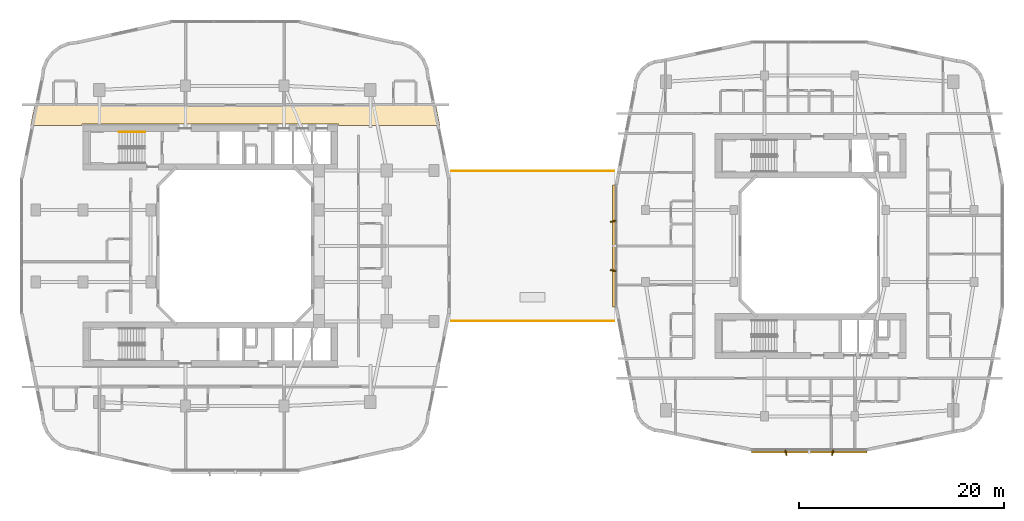
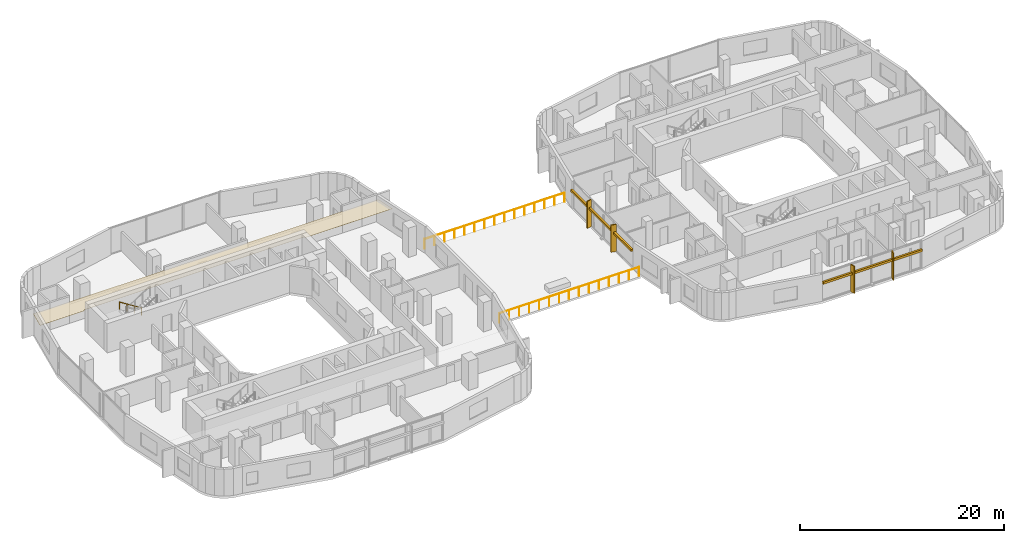
# One storey, part 24 of 25: 6 shading devices, 3 railings, 1 covering.
"""IFC4 building model written with IfcOpenShell, lengths in metres."""

from ifc_helpers import new_model, si_unit, derived_unit, direction, frame, origin, origin_2d, place, context, subcontext, project, spatial, polyline, rectangle, circle, outline, extrude, material, layer, layer_set, type_object, element, save


model = new_model("IFC4")

# Units and contexts
model_context = context("Model", 3, precision=1e-05, world=origin(), true_north=direction((0.0, 1.0)))
body_context = subcontext(model_context, "Body", "Model", "MODEL_VIEW")
ifc_project = project(units=[si_unit("LENGTHUNIT", "METRE"), si_unit("AREAUNIT", "SQUARE_METRE"), si_unit("VOLUMEUNIT", "CUBIC_METRE"), si_unit("PLANEANGLEUNIT", "RADIAN"), si_unit("MASSUNIT", "GRAM", prefix="KILO"), derived_unit("THERMALTRANSMITTANCEUNIT", [(si_unit("POWERUNIT", "WATT"), 1), (si_unit("LENGTHUNIT", "METRE"), -2), (si_unit("THERMODYNAMICTEMPERATUREUNIT", "KELVIN"), -1)])], contexts=[model_context])

# Site, building, storey
site_placement = place(None, origin())
site = spatial("IfcSite", under=ifc_project, at=site_placement, CompositionType="ELEMENT")
building_placement = place(site_placement, origin())
building = spatial("IfcBuilding", under=site, at=building_placement, Name="Kivonza Crest Hotel", CompositionType="ELEMENT")
storey_placement = place(building_placement, frame((0.0, 0.0, 24.0)))
storey = spatial("IfcBuildingStorey", under=building, at=storey_placement, Name="L05", CompositionType="ELEMENT", Elevation=24.0)

# Covering
ifc_material_1 = material(Name="Mineral-fibre acoustic ceiling tile", Category="gypsum")
ifc_layer = layer(ifc_material_1, 0.02490234375)
ifc_layer_set = layer_set([ifc_layer], Name="Mineral-fibre acoustic ceiling tile")
covering_type = type_object("IfcCoveringType", Name="CV-CEIL-ACOU", PredefinedType="CEILING", material=ifc_layer_set)
covering_placement = place(storey_placement, frame((0.0, 0.0, 2.449951171875)))
element("IfcCovering", 1, at=covering_placement, inside=storey, type_object=covering_type, Name="L05 Hotel North Guest Corridor suspended ceiling", PredefinedType="CEILING", context=body_context, shape_type="SweptSolid", body=[
    extrude(outline(polyline([(1.506103515625, 38.7900390625), (1.083984375, 36.719970703125), (6.10009765625, 36.719970703125), (6.10009765625, 36.860107421875), (31.10009765625, 36.860107421875), (31.10009765625, 36.719970703125), (40.99609375, 36.719970703125), (40.573974609375, 38.7900390625), (1.506103515625, 38.7900390625)])), origin(), (0.0, 0.0, 1.0), 0.025146484375),
])

# Railings
ifc_material_2 = material(Name="Brushed stainless steel handrail", Category="steel")
railing_type_1 = type_object("IfcRailingType", Name="RL-HAND-900", PredefinedType="HANDRAIL", material=ifc_material_2)
railing_1_placement = place(storey_placement, frame((12.239990234375, 36.110107421875, 0.175048828125)))
element("IfcRailing", 2, at=railing_1_placement, inside=storey, type_object=railing_type_1, Name="L05 ST-T1-N stair handrail 1", PredefinedType="HANDRAIL", context=body_context, shape_type="SweptSolid", body=[
    extrude(circle(Radius=0.02392578125, at=origin_2d()), frame((0.0, 0.0, 0.8759765625), z_axis=(-0.848007534815, 0.0, 0.529984170421), x_axis=(0.0, -1.0, 0.0)), (0.0, 0.0, 1.0), 2.9716796875),
    extrude(circle(Radius=0.02099609375, at=origin_2d()), origin(), (0.0, 0.0, 1.0), 0.851806640625),
    extrude(circle(Radius=0.02099609375, at=origin_2d()), frame((-0.840087890625, 0.0, 0.52490234375)), (0.0, 0.0, 1.0), 0.851806640625),
    extrude(circle(Radius=0.02099609375, at=origin_2d()), frame((-1.679931640625, 0.0, 1.050048828125)), (0.0, 0.0, 1.0), 0.851806640625),
    extrude(circle(Radius=0.02099609375, at=origin_2d()), frame((-2.52001953125, 0.0, 1.574951171875)), (0.0, 0.0, 1.0), 0.851806640625),
])
ifc_material_3 = material(Name="Laminated glass and stainless steel balustrade", Category="steel")
railing_type_2 = type_object("IfcRailingType", Name="RL-TERR-1150", PredefinedType="BALUSTRADE", material=ifc_material_3)
railing_2_placement = place(storey_placement, frame((42.080078125, 32.320068359375, 0.0)))
element("IfcRailing", 3, at=railing_2_placement, inside=storey, type_object=railing_type_2, Name="L05 POD-L05-LINK perimeter safety balustrade 1", PredefinedType="BALUSTRADE", context=body_context, shape_type="SweptSolid", body=[
    extrude(circle(Radius=0.02392578125, at=origin_2d()), frame((0.0, 0.0, 1.1259765625), z_axis=(1.0, 0.0, 0.0), x_axis=(0.0, 1.0, 0.0)), (0.0, 0.0, 1.0), 15.83984375),
    extrude(circle(Radius=0.02099609375, at=origin_2d()), origin(), (0.0, 0.0, 1.0), 1.101806640625),
    extrude(circle(Radius=0.02099609375, at=origin_2d()), frame((1.13134765625, 0.0, 0.0)), (0.0, 0.0, 1.0), 1.101806640625),
    extrude(circle(Radius=0.02099609375, at=origin_2d()), frame((2.262939453125, 0.0, 0.0)), (0.0, 0.0, 1.0), 1.101806640625),
    extrude(circle(Radius=0.02099609375, at=origin_2d()), frame((3.394287109375, 0.0, 0.0)), (0.0, 0.0, 1.0), 1.101806640625),
    extrude(circle(Radius=0.02099609375, at=origin_2d()), frame((4.525634765625, 0.0, 0.0)), (0.0, 0.0, 1.0), 1.101806640625),
    extrude(circle(Radius=0.02099609375, at=origin_2d()), frame((5.656982421875, 0.0, 0.0)), (0.0, 0.0, 1.0), 1.101806640625),
    extrude(circle(Radius=0.02099609375, at=origin_2d()), frame((6.78857421875, 0.0, 0.0)), (0.0, 0.0, 1.0), 1.101806640625),
    extrude(circle(Radius=0.02099609375, at=origin_2d()), frame((7.919921875, 0.0, 0.0)), (0.0, 0.0, 1.0), 1.101806640625),
    extrude(circle(Radius=0.02099609375, at=origin_2d()), frame((9.05126953125, 0.0, 0.0)), (0.0, 0.0, 1.0), 1.101806640625),
    extrude(circle(Radius=0.02099609375, at=origin_2d()), frame((10.182861328125, 0.0, 0.0)), (0.0, 0.0, 1.0), 1.101806640625),
    extrude(circle(Radius=0.02099609375, at=origin_2d()), frame((11.314208984375, 0.0, 0.0)), (0.0, 0.0, 1.0), 1.101806640625),
    extrude(circle(Radius=0.02099609375, at=origin_2d()), frame((12.445556640625, 0.0, 0.0)), (0.0, 0.0, 1.0), 1.101806640625),
    extrude(circle(Radius=0.02099609375, at=origin_2d()), frame((13.576904296875, 0.0, 0.0)), (0.0, 0.0, 1.0), 1.101806640625),
    extrude(circle(Radius=0.02099609375, at=origin_2d()), frame((14.70849609375, 0.0, 0.0)), (0.0, 0.0, 1.0), 1.101806640625),
    extrude(circle(Radius=0.02099609375, at=origin_2d()), frame((15.83984375, 0.0, 0.0)), (0.0, 0.0, 1.0), 1.101806640625),
])
railing_3_placement = place(storey_placement, frame((57.919921875, 17.679931640625, 0.0)))
element("IfcRailing", 4, at=railing_3_placement, inside=storey, type_object=railing_type_2, Name="L05 POD-L05-LINK perimeter safety balustrade 2", PredefinedType="BALUSTRADE", context=body_context, shape_type="SweptSolid", body=[
    extrude(circle(Radius=0.02392578125, at=origin_2d()), frame((0.0, 0.0, 1.1259765625), z_axis=(-1.0, 0.0, 0.0), x_axis=(0.0, -1.0, 0.0)), (0.0, 0.0, 1.0), 15.83984375),
    extrude(circle(Radius=0.02099609375, at=origin_2d()), origin(), (0.0, 0.0, 1.0), 1.101806640625),
    extrude(circle(Radius=0.02099609375, at=origin_2d()), frame((-1.13134765625, 0.0, 0.0)), (0.0, 0.0, 1.0), 1.101806640625),
    extrude(circle(Radius=0.02099609375, at=origin_2d()), frame((-2.262939453125, 0.0, 0.0)), (0.0, 0.0, 1.0), 1.101806640625),
    extrude(circle(Radius=0.02099609375, at=origin_2d()), frame((-3.394287109375, 0.0, 0.0)), (0.0, 0.0, 1.0), 1.101806640625),
    extrude(circle(Radius=0.02099609375, at=origin_2d()), frame((-4.525634765625, 0.0, 0.0)), (0.0, 0.0, 1.0), 1.101806640625),
    extrude(circle(Radius=0.02099609375, at=origin_2d()), frame((-5.656982421875, 0.0, 0.0)), (0.0, 0.0, 1.0), 1.101806640625),
    extrude(circle(Radius=0.02099609375, at=origin_2d()), frame((-6.78857421875, 0.0, 0.0)), (0.0, 0.0, 1.0), 1.101806640625),
    extrude(circle(Radius=0.02099609375, at=origin_2d()), frame((-7.919921875, 0.0, 0.0)), (0.0, 0.0, 1.0), 1.101806640625),
    extrude(circle(Radius=0.02099609375, at=origin_2d()), frame((-9.05126953125, 0.0, 0.0)), (0.0, 0.0, 1.0), 1.101806640625),
    extrude(circle(Radius=0.02099609375, at=origin_2d()), frame((-10.182861328125, 0.0, 0.0)), (0.0, 0.0, 1.0), 1.101806640625),
    extrude(circle(Radius=0.02099609375, at=origin_2d()), frame((-11.314208984375, 0.0, 0.0)), (0.0, 0.0, 1.0), 1.101806640625),
    extrude(circle(Radius=0.02099609375, at=origin_2d()), frame((-12.445556640625, 0.0, 0.0)), (0.0, 0.0, 1.0), 1.101806640625),
    extrude(circle(Radius=0.02099609375, at=origin_2d()), frame((-13.576904296875, 0.0, 0.0)), (0.0, 0.0, 1.0), 1.101806640625),
    extrude(circle(Radius=0.02099609375, at=origin_2d()), frame((-14.70849609375, 0.0, 0.0)), (0.0, 0.0, 1.0), 1.101806640625),
    extrude(circle(Radius=0.02099609375, at=origin_2d()), frame((-15.83984375, 0.0, 0.0)), (0.0, 0.0, 1.0), 1.101806640625),
])

# Shading devices
ifc_material_4 = material(Name="Kiln-fired Nairobi red-ochre terracotta", Category="masonry")
shading_device_type_1 = type_object("IfcShadingDeviceType", Name="SH-BAGUETTE-300", PredefinedType="USERDEFINED", material=ifc_material_4)
shading_device_1_placement = place(storey_placement, frame((76.9599609375, 4.919921875, 2.14501953125), z_axis=(0.0, 0.0, 1.0), x_axis=(1.0, 0.0, 0.0)))
element("IfcShadingDevice", 5, at=shading_device_1_placement, inside=storey, type_object=shading_device_type_1, Name="L05 terracotta baguette screen CW-T2-L05-08", ObjectType="BAGUETTE", PredefinedType="USERDEFINED", context=body_context, shape_type="SweptSolid", body=[
    extrude(rectangle(XDim=11.256103515625, YDim=0.219970703125, at=origin_2d()), origin(), (0.0, 0.0, 1.0), 0.260009765625),
])
shading_device_2_placement = place(storey_placement, frame((57.919921875, 25.0, 2.14501953125), z_axis=(0.0, 0.0, 1.0), x_axis=(0.0, -1.0, 0.0)))
element("IfcShadingDevice", 6, at=shading_device_2_placement, inside=storey, type_object=shading_device_type_1, Name="L05 terracotta baguette screen CW-T2-L05-35", ObjectType="BAGUETTE", PredefinedType="USERDEFINED", context=body_context, shape_type="SweptSolid", body=[
    extrude(rectangle(XDim=11.8798828125, YDim=0.219970703125, at=origin_2d()), origin(), (0.0, 0.0, 1.0), 0.260009765625),
])
ifc_material_5 = material(Name="Kiln-fired terracotta over extruded aluminium spine", Category="masonry")
shading_device_type_2 = type_object("IfcShadingDeviceType", Name="SH-FIN-550", PredefinedType="USERDEFINED", material=ifc_material_5)
for number, where, z_axis, x_axis, name in (
    (7, (74.68505859375, 4.860107421875, 0.0), (0.0, 0.0, 1.0), (0.970295726276, 0.2419218956, 0.0), "L05 vertical solar shading fin CW-T2-L05-08-1"),
    (8, (79.235107421875, 4.860107421875, 0.0), (0.0, 0.0, 1.0), (0.970295726276, -0.2419218956, 0.0), "L05 vertical solar shading fin CW-T2-L05-08-2"),
    (9, (57.860107421875, 27.39990234375, 0.0), (0.0, 0.0, 1.0), (0.2419218956, -0.970295726276, 0.0), "L05 vertical solar shading fin CW-T2-L05-35-1"),
    (10, (57.860107421875, 22.60009765625, 0.0), (0.0, 0.0, 1.0), (-0.2419218956, -0.970295726276, 0.0), "L05 vertical solar shading fin CW-T2-L05-35-2"),
):
    element("IfcShadingDevice", number, at=place(storey_placement, frame(where, z_axis=z_axis, x_axis=x_axis)), inside=storey, type_object=shading_device_type_2, Name=name, ObjectType="FIN", PredefinedType="USERDEFINED", context=body_context, shape_type="SweptSolid", body=[
        extrude(rectangle(XDim=0.1201171875, YDim=0.550048828125, at=origin_2d()), origin(), (0.0, 0.0, 1.0), 3.25),
    ])

save(model, "model.ifc")
